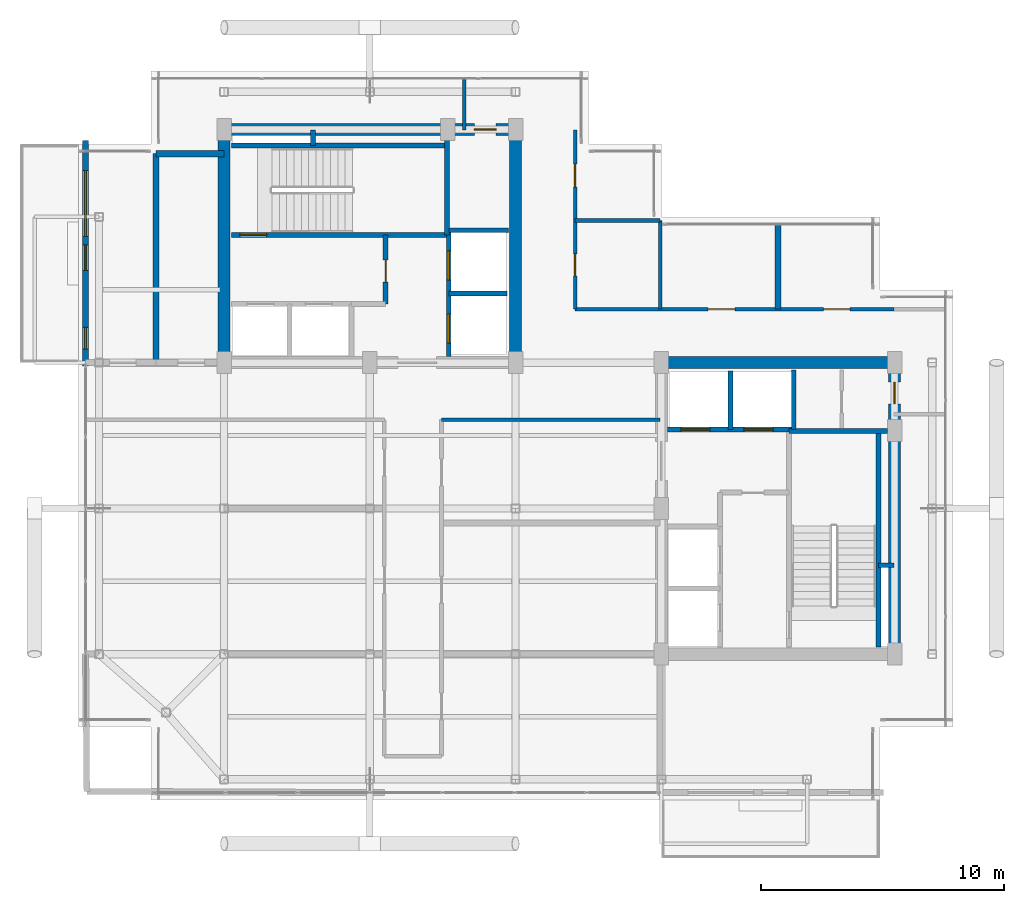
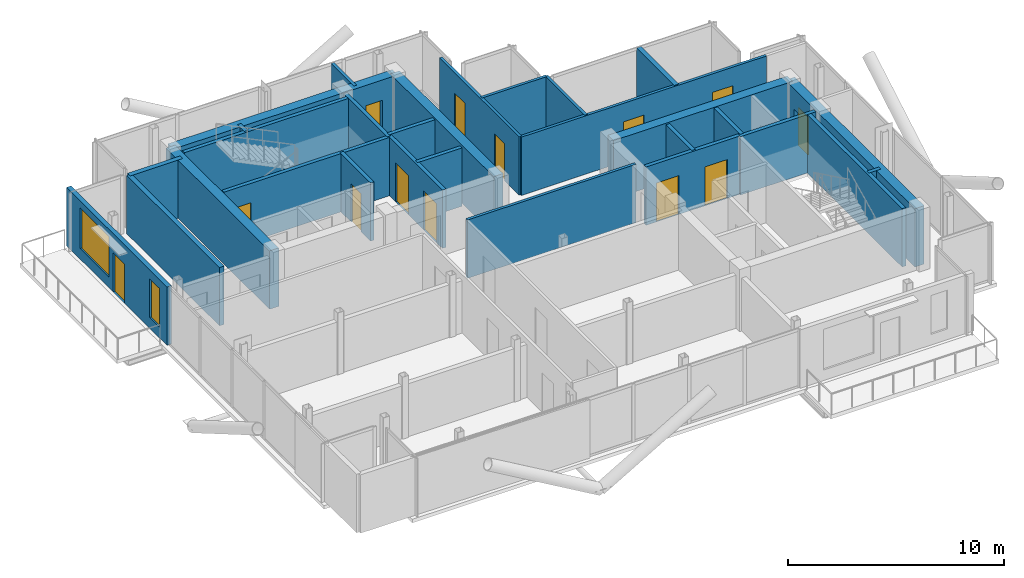
# One storey, part 15 of 18: 29 walls, 13 doors, 2 windows, 15 openings.
"""IFC4 building model written with IfcOpenShell, lengths in metres."""

from ifc_helpers import new_model, si_unit, direction, frame, frame_2d, origin, place, context, subcontext, project, spatial, rectangle, extrude, material, layer, layer_set, type_object, element, fill, save


model = new_model("IFC4")

# Units and contexts
model_context = context("Model", 3, precision=1e-05, world=origin(), true_north=direction((0.0, 1.0)))
body_context = subcontext(model_context, "Body", "Model", "MODEL_VIEW")
ifc_project = project(units=[si_unit("LENGTHUNIT", "METRE"), si_unit("AREAUNIT", "SQUARE_METRE"), si_unit("VOLUMEUNIT", "CUBIC_METRE"), si_unit("PLANEANGLEUNIT", "RADIAN"), si_unit("MASSUNIT", "GRAM", prefix="KILO"), si_unit("THERMODYNAMICTEMPERATUREUNIT", "KELVIN"), si_unit("POWERUNIT", "WATT")], contexts=[model_context])

# Site, building, storey
site_placement = place(None, origin())
site = spatial("IfcSite", under=ifc_project, at=site_placement, CompositionType="ELEMENT")
building_placement = place(site_placement, origin())
building = spatial("IfcBuilding", under=site, at=building_placement, Name="Svarakhadi Broadcast Tower", CompositionType="ELEMENT")
storey_placement = place(building_placement, frame((0.0, 0.0, 288.699951171875)))
storey = spatial("IfcBuildingStorey", under=building, at=storey_placement, Name="L73", CompositionType="ELEMENT", Elevation=288.699951171875)

# Walls
ifc_material_1 = material(Name="Double-Stud Acoustic Studio Partition STC-62", Category="gypsum")
ifc_layer_1 = layer(ifc_material_1, 0.25)
ifc_layer_set_1 = layer_set([ifc_layer_1], Name="Double-Stud Acoustic Studio Partition STC-62")
wall_type_1 = type_object("IfcWallType", Name="Wall_Acoust_250", PredefinedType="PARTITIONING", material=ifc_layer_set_1)
wall_1_placement = place(storey_placement, frame((28.800048828125, 20.199951171875, 0.0), z_axis=(0.0, 0.0, 1.0), x_axis=(0.0, 1.0, 0.0)))
element("IfcWall", 1, at=wall_1_placement, inside=storey, type_object=wall_type_1, Name="L73 Harbour Sky Club Reading Room Wall", PredefinedType="PARTITIONING", context=body_context, shape_type="SweptSolid", body=[
    extrude(rectangle(XDim=3.5, YDim=0.25, at=frame_2d((1.75, 0.0))), origin(), (0.0, 0.0, 1.0), 3.300048828125),
])
wall_2_placement = place(storey_placement, frame((3.199951171875, 18.0, 0.0), z_axis=(0.0, 0.0, 1.0), x_axis=(0.0, 1.0, 0.0)))
element("IfcWall", 2, at=wall_2_placement, inside=storey, type_object=wall_type_1, Name="L73 State Reception Salon Wall", PredefinedType="PARTITIONING", context=body_context, shape_type="SweptSolid", body=[
    extrude(rectangle(XDim=8.60009765625, YDim=0.25, at=frame_2d((4.300048828125, 0.0))), origin(), (0.0, 0.0, 1.0), 3.300048828125),
])
wall_3_placement = place(storey_placement, frame((3.199951171875, 26.60009765625, 0.0), z_axis=(0.0, 0.0, 1.0), x_axis=(1.0, 0.0, 0.0)))
element("IfcWall", 3, at=wall_3_placement, inside=storey, type_object=wall_type_1, Name="L73 Protocol Registry Office Wall", PredefinedType="PARTITIONING", context=body_context, shape_type="SweptSolid", body=[
    extrude(rectangle(XDim=2.800048828125, YDim=0.25, at=frame_2d((1.39990234375, 0.0))), origin(), (0.0, 0.0, 1.0), 3.300048828125),
])

# Wall, openings, door, windows
ifc_material_2 = material(Name="Concrete C40/50 (IS 456 M50)", Category="concrete")
ifc_layer_2 = layer(ifc_material_2, 0.239990234375)
ifc_layer_set_2 = layer_set([ifc_layer_2], Name="Concrete C40/50 (IS 456 M50)")
wall_type_2 = type_object("IfcWallType", Name="Wall_Ext_240", PredefinedType="SOLIDWALL", material=ifc_layer_set_2)
wall_4_placement = place(storey_placement, frame((0.300048828125, 17.85498046875, 0.0), z_axis=(0.0, 0.0, 1.0), x_axis=(0.0, 1.0, 0.0)))
wall_4 = element("IfcWall", 4, at=wall_4_placement, inside=storey, type_object=wall_type_2, Name="L73 West Tree Balcony Spandrel Wall", PredefinedType="SOLIDWALL", context=body_context, shape_type="SweptSolid", body=[
    extrude(rectangle(XDim=9.2900390625, YDim=0.239990234375, at=frame_2d((4.64501953125, 0.0))), origin(), (0.0, 0.0, 1.0), 3.300048828125),
])
opening_1_placement = place(wall_4_placement, frame((3.945068359375, 0.0, 0.0)))
opening_1 = element("IfcOpeningElement", 5, at=opening_1_placement, cuts=wall_4, Name="Opening ED-06", PredefinedType="OPENING", context=body_context, shape_type="SweptSolid", body=[
    extrude(rectangle(XDim=1.050048828125, YDim=2.199951171875, at=frame_2d((0.52490234375, 1.10009765625))), frame((0.0, 0.1298828125, 0.0), z_axis=(0.0, -1.0, 0.0), x_axis=(1.0, 0.0, 0.0)), (0.0, 0.0, 1.0), 0.260009765625),
])
opening_2_placement = place(wall_4_placement, frame((5.344970703125, 0.0, 0.60009765625)))
opening_2 = element("IfcOpeningElement", 6, at=opening_2_placement, cuts=wall_4, Name="Opening WN-07", PredefinedType="OPENING", context=body_context, shape_type="SweptSolid", body=[
    extrude(rectangle(XDim=2.699951171875, YDim=2.300048828125, at=frame_2d((1.35009765625, 1.14990234375))), frame((0.0, 0.1298828125, 0.0), z_axis=(0.0, -1.0, 0.0), x_axis=(1.0, 0.0, 0.0)), (0.0, 0.0, 1.0), 0.260009765625),
])
opening_3_placement = place(wall_4_placement, frame((0.699951171875, 0.0, 0.60009765625)))
opening_3 = element("IfcOpeningElement", 7, at=opening_3_placement, cuts=wall_4, Name="Opening WN-04", PredefinedType="OPENING", context=body_context, shape_type="SweptSolid", body=[
    extrude(rectangle(XDim=0.89990234375, YDim=2.199951171875, at=frame_2d((0.449951171875, 1.10009765625))), frame((0.0, 0.1298828125, 0.0), z_axis=(0.0, -1.0, 0.0), x_axis=(1.0, 0.0, 0.0)), (0.0, 0.0, 1.0), 0.260009765625),
])
ifc_material_3 = material(Name="Anodised Bronze Aluminium AA 6063-T6", Category="aluminium")
door_type_1 = type_object("IfcDoorType", Name="Door_Ext_ED06", OperationType="SINGLE_SWING_RIGHT", PredefinedType="DOOR", material=ifc_material_3)
door_1_placement = place(opening_1_placement, origin())
door_1 = element("IfcDoor", 8, at=door_1_placement, inside=storey, type_object=door_type_1, Name="L73 West Tree Balcony Door", OperationType="SINGLE_SWING_RIGHT", OverallHeight=2.199951171875, OverallWidth=1.050048828125, PredefinedType="DOOR", context=body_context, shape_type="SweptSolid", body=[
    extrude(rectangle(XDim=1.050048828125, YDim=2.199951171875, at=frame_2d((0.52490234375, 1.10009765625))), frame((0.0, 0.02490234375, 0.0), z_axis=(0.0, -1.0, 0.0), x_axis=(1.0, 0.0, 0.0)), (0.0, 0.0, 1.0), 0.050048828125),
])
fill(opening_1, door_1)
ifc_material_4 = material(Name="Double Low-E Laminated Acoustic Glass IGU 36 mm", Category="glass")
window_type_1 = type_object("IfcWindowType", Name="Win_Resi_WN07", PartitioningType="SINGLE_PANEL", PredefinedType="WINDOW", material=ifc_material_4)
window_1_placement = place(opening_2_placement, origin())
window_1 = element("IfcWindow", 9, at=window_1_placement, inside=storey, type_object=window_type_1, Name="L73 West Tree Balcony Window", OverallHeight=2.300048828125, OverallWidth=2.699951171875, PartitioningType="SINGLE_PANEL", PredefinedType="WINDOW", context=body_context, shape_type="SweptSolid", body=[
    extrude(rectangle(XDim=2.699951171875, YDim=2.300048828125, at=frame_2d((1.35009765625, 1.14990234375))), frame((0.0, 0.030029296875, 0.0), z_axis=(0.0, -1.0, 0.0), x_axis=(1.0, 0.0, 0.0)), (0.0, 0.0, 1.0), 0.06005859375),
])
fill(opening_2, window_1)
window_type_2 = type_object("IfcWindowType", Name="Win_Slot_WN04", PartitioningType="SINGLE_PANEL", PredefinedType="WINDOW", material=ifc_material_4)
window_2_placement = place(opening_3_placement, origin())
window_2 = element("IfcWindow", 10, at=window_2_placement, inside=storey, type_object=window_type_2, Name="L73 West Secondary Bedroom Slot Window", OverallHeight=2.199951171875, OverallWidth=0.89990234375, PartitioningType="SINGLE_PANEL", PredefinedType="WINDOW", context=body_context, shape_type="SweptSolid", body=[
    extrude(rectangle(XDim=0.89990234375, YDim=2.199951171875, at=frame_2d((0.449951171875, 1.10009765625))), frame((0.0, 0.030029296875, 0.0), z_axis=(0.0, -1.0, 0.0), x_axis=(1.0, 0.0, 0.0)), (0.0, 0.0, 1.0), 0.06005859375),
])
fill(opening_3, window_2)

# Walls
ifc_layer_3 = layer(ifc_material_2, 0.199951171875)
ifc_layer_set_3 = layer_set([ifc_layer_3], Name="Concrete C40/50 (IS 456 M50)")
wall_type_3 = type_object("IfcWallType", Name="Wall_Fire_200", PredefinedType="SOLIDWALL", material=ifc_layer_set_3)
for number, where, z_axis, x_axis, name in (
    (11, (9.659912109375, 26.93994140625, 0.0), (0.0, 0.0, 1.0), (0.0, 1.0, 0.0), "L73 Wet Riser Shaft East Wall"),
    (12, (32.93994140625, 9.659912109375, 0.0), (0.0, 0.0, 1.0), (1.0, 0.0, 0.0), "L73 HV Busduct Riser Shaft North Wall"),
):
    element("IfcWall", number, at=place(storey_placement, frame(where, z_axis=z_axis, x_axis=x_axis)), inside=storey, type_object=wall_type_3, Name=name, PredefinedType="SOLIDWALL", context=body_context, shape_type="SweptSolid", body=[
        extrude(rectangle(XDim=0.64013671875, YDim=0.199951171875, at=frame_2d((0.320068359375, 0.0))), origin(), (0.0, 0.0, 1.0), 3.300048828125),
    ])
ifc_material_5 = material(Name="Autoclaved Aerated Concrete Blockwork 150 mm", Category="masonry")
ifc_layer_4 = layer(ifc_material_5, 0.14990234375)
ifc_layer_set_4 = layer_set([ifc_layer_4], Name="Autoclaved Aerated Concrete Blockwork 150 mm")
wall_type_4 = type_object("IfcWallType", Name="Wall_Part_150", PredefinedType="PARTITIONING", material=ifc_layer_set_4)
wall_5_placement = place(storey_placement, frame((15.8798828125, 27.580078125, 0.0), z_axis=(0.0, 0.0, 1.0), x_axis=(0.0, 1.0, 0.0)))
element("IfcWall", 13, at=wall_5_placement, inside=storey, type_object=wall_type_4, Name="L73 Upper Tower Concourse Wall", PredefinedType="PARTITIONING", context=body_context, shape_type="SweptSolid", body=[
    extrude(rectangle(XDim=2.119873046875, YDim=0.14990234375, at=frame_2d((1.06005859375, 0.0))), origin(), (0.0, 0.0, 1.0), 3.300048828125),
])

# Wall, openings, doors
wall_6_placement = place(storey_placement, frame((20.449951171875, 27.580078125, 0.0), z_axis=(0.0, 0.0, 1.0), x_axis=(0.0, -1.0, 0.0)))
wall_6 = element("IfcWall", 14, at=wall_6_placement, inside=storey, type_object=wall_type_4, Name="L73 Upper Tower Concourse Wall", PredefinedType="PARTITIONING", context=body_context, shape_type="SweptSolid", body=[
    extrude(rectangle(XDim=7.380126953125, YDim=0.14990234375, at=frame_2d((3.68994140625, 0.0))), origin(), (0.0, 0.0, 1.0), 3.300048828125),
])
opening_4_placement = place(wall_6_placement, frame((5.10498046875, 0.0, 0.0)))
opening_4 = element("IfcOpeningElement", 15, at=opening_4_placement, cuts=wall_6, Name="Opening D-13", PredefinedType="OPENING", context=body_context, shape_type="SweptSolid", body=[
    extrude(rectangle(XDim=0.89990234375, YDim=2.10009765625, at=frame_2d((0.449951171875, 1.050048828125))), frame((0.0, 0.0849609375, 0.0), z_axis=(0.0, -1.0, 0.0), x_axis=(1.0, 0.0, 0.0)), (0.0, 0.0, 1.0), 0.169921875),
])
opening_5_placement = place(wall_6_placement, frame((1.405029296875, 0.0, 0.0)))
opening_5 = element("IfcOpeningElement", 16, at=opening_5_placement, cuts=wall_6, Name="Opening D-06", PredefinedType="OPENING", context=body_context, shape_type="SweptSolid", body=[
    extrude(rectangle(XDim=0.949951171875, YDim=2.14990234375, at=frame_2d((0.47509765625, 1.074951171875))), frame((0.0, 0.0849609375, 0.0), z_axis=(0.0, -1.0, 0.0), x_axis=(1.0, 0.0, 0.0)), (0.0, 0.0, 1.0), 0.169921875),
])
ifc_material_6 = material(Name="Solid-Core Teak Veneer Acoustic Timber Leaf", Category="wood")
door_type_2 = type_object("IfcDoorType", Name="Door_Closet_D13", OperationType="SINGLE_SWING_RIGHT", PredefinedType="DOOR", material=ifc_material_6)
door_2_placement = place(opening_4_placement, origin())
door_2 = element("IfcDoor", 17, at=door_2_placement, inside=storey, type_object=door_type_2, Name="L73 Accessible Visitor Washroom WC Door", OperationType="SINGLE_SWING_RIGHT", OverallHeight=2.10009765625, OverallWidth=0.89990234375, PredefinedType="DOOR", context=body_context, shape_type="SweptSolid", body=[
    extrude(rectangle(XDim=0.89990234375, YDim=2.10009765625, at=frame_2d((0.449951171875, 1.050048828125))), frame((0.0, 0.02490234375, 0.0), z_axis=(0.0, -1.0, 0.0), x_axis=(1.0, 0.0, 0.0)), (0.0, 0.0, 1.0), 0.050048828125),
])
fill(opening_4, door_2)
door_type_3 = type_object("IfcDoorType", Name="Door_Office_D06", OperationType="SINGLE_SWING_LEFT", PredefinedType="DOOR", material=ifc_material_6)
door_3_placement = place(opening_5_placement, origin())
door_3 = element("IfcDoor", 18, at=door_3_placement, inside=storey, type_object=door_type_3, Name="L73 Hotel Butler Service Pantry Door", OperationType="SINGLE_SWING_LEFT", OverallHeight=2.14990234375, OverallWidth=0.949951171875, PredefinedType="DOOR", context=body_context, shape_type="SweptSolid", body=[
    extrude(rectangle(XDim=0.949951171875, YDim=2.14990234375, at=frame_2d((0.47509765625, 1.074951171875))), frame((0.0, 0.02490234375, 0.0), z_axis=(0.0, -1.0, 0.0), x_axis=(1.0, 0.0, 0.0)), (0.0, 0.0, 1.0), 0.050048828125),
])
fill(opening_5, door_3)

wall_7_placement = place(storey_placement, frame((20.449951171875, 20.199951171875, 0.0), z_axis=(0.0, 0.0, 1.0), x_axis=(1.0, 0.0, 0.0)))
wall_7 = element("IfcWall", 19, at=wall_7_placement, inside=storey, type_object=wall_type_4, Name="L73 Upper Tower Concourse Wall", PredefinedType="PARTITIONING", context=body_context, shape_type="SweptSolid", body=[
    extrude(rectangle(XDim=13.130126953125, YDim=0.14990234375, at=frame_2d((6.56494140625, 0.0))), origin(), (0.0, 0.0, 1.0), 3.300048828125),
])
opening_6_placement = place(wall_7_placement, frame((5.47509765625, 0.0, 0.0)))
opening_6 = element("IfcOpeningElement", 20, at=opening_6_placement, cuts=wall_7, Name="Opening D-11", PredefinedType="OPENING", context=body_context, shape_type="SweptSolid", body=[
    extrude(rectangle(XDim=1.10009765625, YDim=2.25, at=frame_2d((0.550048828125, 1.125))), frame((0.0, 0.0849609375, 0.0), z_axis=(0.0, -1.0, 0.0), x_axis=(1.0, 0.0, 0.0)), (0.0, 0.0, 1.0), 0.169921875),
])
opening_7_placement = place(wall_7_placement, frame((10.22509765625, 0.0, 0.0)))
opening_7 = element("IfcOpeningElement", 21, at=opening_7_placement, cuts=wall_7, Name="Opening D-10", PredefinedType="OPENING", context=body_context, shape_type="SweptSolid", body=[
    extrude(rectangle(XDim=1.10009765625, YDim=2.25, at=frame_2d((0.550048828125, 1.125))), frame((0.0, 0.0849609375, 0.0), z_axis=(0.0, -1.0, 0.0), x_axis=(1.0, 0.0, 0.0)), (0.0, 0.0, 1.0), 0.169921875),
])
door_type_4 = type_object("IfcDoorType", Name="Door_Acoust_D10", OperationType="SINGLE_SWING_LEFT", PredefinedType="DOOR", material=ifc_material_6)
door_4_placement = place(opening_7_placement, origin())
door_4 = element("IfcDoor", 22, at=door_4_placement, inside=storey, type_object=door_type_4, Name="L73 Private Sommelier Tasting Pantry Door", OperationType="SINGLE_SWING_LEFT", OverallHeight=2.25, OverallWidth=1.10009765625, PredefinedType="DOOR", context=body_context, shape_type="SweptSolid", body=[
    extrude(rectangle(XDim=1.10009765625, YDim=2.25, at=frame_2d((0.550048828125, 1.125))), frame((0.0, 0.02490234375, 0.0), z_axis=(0.0, -1.0, 0.0), x_axis=(1.0, 0.0, 0.0)), (0.0, 0.0, 1.0), 0.050048828125),
])
fill(opening_7, door_4)
door_type_5 = type_object("IfcDoorType", Name="Door_Acoust_D11", OperationType="SINGLE_SWING_RIGHT", PredefinedType="DOOR", material=ifc_material_6)
door_5_placement = place(opening_6_placement, origin())
door_5 = element("IfcDoor", 23, at=door_5_placement, inside=storey, type_object=door_type_5, Name="L73 Harbour Sky Club Reading Room Door", OperationType="SINGLE_SWING_RIGHT", OverallHeight=2.25, OverallWidth=1.10009765625, PredefinedType="DOOR", context=body_context, shape_type="SweptSolid", body=[
    extrude(rectangle(XDim=1.10009765625, YDim=2.25, at=frame_2d((0.550048828125, 1.125))), frame((0.0, 0.02490234375, 0.0), z_axis=(0.0, -1.0, 0.0), x_axis=(1.0, 0.0, 0.0)), (0.0, 0.0, 1.0), 0.050048828125),
])
fill(opening_6, door_5)

# Walls
wall_8_placement = place(storey_placement, frame((23.949951171875, 15.64990234375, 0.0), z_axis=(0.0, 0.0, 1.0), x_axis=(-1.0, 0.0, 0.0)))
element("IfcWall", 24, at=wall_8_placement, inside=storey, type_object=wall_type_4, Name="L73 Upper Tower Concourse Wall", PredefinedType="PARTITIONING", context=body_context, shape_type="SweptSolid", body=[
    extrude(rectangle(XDim=9.0, YDim=0.14990234375, at=frame_2d((4.5, 0.0))), origin(), (0.0, 0.0, 1.0), 3.300048828125),
])
wall_9_placement = place(storey_placement, frame((20.449951171875, 23.85009765625, 0.0), z_axis=(0.0, 0.0, 1.0), x_axis=(1.0, 0.0, 0.0)))
element("IfcWall", 25, at=wall_9_placement, inside=storey, type_object=wall_type_4, Name="L73 Accessible Visitor Washroom WC Wall", PredefinedType="PARTITIONING", context=body_context, shape_type="SweptSolid", body=[
    extrude(rectangle(XDim=3.5, YDim=0.14990234375, at=frame_2d((1.75, 0.0))), origin(), (0.0, 0.0, 1.0), 3.300048828125),
])
wall_10_placement = place(storey_placement, frame((23.949951171875, 20.199951171875, 0.0), z_axis=(0.0, 0.0, 1.0), x_axis=(0.0, 1.0, 0.0)))
element("IfcWall", 26, at=wall_10_placement, inside=storey, type_object=wall_type_4, Name="L73 Accessible Visitor Washroom WC Wall", PredefinedType="PARTITIONING", context=body_context, shape_type="SweptSolid", body=[
    extrude(rectangle(XDim=3.650146484375, YDim=0.14990234375, at=frame_2d((1.8251953125, 0.0))), origin(), (0.0, 0.0, 1.0), 3.300048828125),
])

# Wall, opening, door
ifc_material_7 = material(Name="Concrete C50/60 (IS 456 M60)", Category="concrete")
ifc_layer_5 = layer(ifc_material_7, 0.199951171875)
ifc_layer_set_5 = layer_set([ifc_layer_5], Name="Concrete C50/60 (IS 456 M60)")
wall_type_5 = type_object("IfcWallType", Name="Wall_Shear_200", PredefinedType="SHEAR", material=ifc_layer_set_5)
wall_11_placement = place(storey_placement, frame((6.300048828125, 23.260009765625, 0.0), z_axis=(0.0, 0.0, 1.0), x_axis=(1.0, 0.0, 0.0)))
wall_11 = element("IfcWall", 27, at=wall_11_placement, inside=storey, type_object=wall_type_5, Name="L73 Stair ST-01 South RC Shaft Wall", PredefinedType="SHEAR", context=body_context, shape_type="SweptSolid", body=[
    extrude(rectangle(XDim=8.8798828125, YDim=0.199951171875, at=frame_2d((4.43994140625, 0.0))), origin(), (0.0, 0.0, 1.0), 3.300048828125),
])
opening_8_placement = place(wall_11_placement, frame((0.35009765625, 0.0, 0.0)))
opening_8 = element("IfcOpeningElement", 28, at=opening_8_placement, cuts=wall_11, Name="Opening D-01", PredefinedType="OPENING", context=body_context, shape_type="SweptSolid", body=[
    extrude(rectangle(XDim=1.10009765625, YDim=2.199951171875, at=frame_2d((0.550048828125, 1.10009765625))), frame((0.0, 0.10986328125, 0.0), z_axis=(0.0, -1.0, 0.0), x_axis=(1.0, 0.0, 0.0)), (0.0, 0.0, 1.0), 0.219970703125),
])
ifc_material_8 = material(Name="Galvanised Powder-Coated Fire-Rated Steel Leaf", Category="steel")
door_type_6 = type_object("IfcDoorType", Name="Door_Stair_D01", OperationType="SINGLE_SWING_LEFT", PredefinedType="DOOR", material=ifc_material_8)
door_6_placement = place(opening_8_placement, origin())
door_6 = element("IfcDoor", 29, at=door_6_placement, inside=storey, type_object=door_type_6, Name="L73 Protected Exit Stair ST-01 Fire Door", OperationType="SINGLE_SWING_LEFT", OverallHeight=2.199951171875, OverallWidth=1.10009765625, PredefinedType="DOOR", context=body_context, shape_type="SweptSolid", body=[
    extrude(rectangle(XDim=1.10009765625, YDim=2.199951171875, at=frame_2d((0.550048828125, 1.10009765625))), frame((0.0, 0.02490234375, 0.0), z_axis=(0.0, -1.0, 0.0), x_axis=(1.0, 0.0, 0.0)), (0.0, 0.0, 1.0), 0.050048828125),
])
fill(opening_8, door_6)

# Walls
wall_12_placement = place(storey_placement, frame((6.300048828125, 26.93994140625, 0.0), z_axis=(0.0, 0.0, 1.0), x_axis=(1.0, 0.0, 0.0)))
element("IfcWall", 30, at=wall_12_placement, inside=storey, type_object=wall_type_5, Name="L73 Stair ST-01 North RC Shaft Wall", PredefinedType="SHEAR", context=body_context, shape_type="SweptSolid", body=[
    extrude(rectangle(XDim=8.8798828125, YDim=0.199951171875, at=frame_2d((4.43994140625, 0.0))), origin(), (0.0, 0.0, 1.0), 3.300048828125),
])
wall_13_placement = place(storey_placement, frame((15.179931640625, 23.260009765625, 0.0), z_axis=(0.0, 0.0, 1.0), x_axis=(0.0, 1.0, 0.0)))
element("IfcWall", 31, at=wall_13_placement, inside=storey, type_object=wall_type_5, Name="L73 Stair ST-01 East RC Shaft Wall", PredefinedType="SHEAR", context=body_context, shape_type="SweptSolid", body=[
    extrude(rectangle(XDim=4.0400390625, YDim=0.199951171875, at=frame_2d((2.02001953125, 0.0))), origin(), (0.0, 0.0, 1.0), 3.300048828125),
])
wall_14_placement = place(storey_placement, frame((32.93994140625, 6.300048828125, 0.0), z_axis=(0.0, 0.0, 1.0), x_axis=(0.0, 1.0, 0.0)))
element("IfcWall", 32, at=wall_14_placement, inside=storey, type_object=wall_type_5, Name="L73 Stair ST-02 East RC Shaft Wall", PredefinedType="SHEAR", context=body_context, shape_type="SweptSolid", body=[
    extrude(rectangle(XDim=8.8798828125, YDim=0.199951171875, at=frame_2d((4.43994140625, 0.0))), origin(), (0.0, 0.0, 1.0), 3.300048828125),
])
wall_15_placement = place(storey_placement, frame((29.260009765625, 15.179931640625, 0.0), z_axis=(0.0, 0.0, 1.0), x_axis=(1.0, 0.0, 0.0)))
element("IfcWall", 33, at=wall_15_placement, inside=storey, type_object=wall_type_5, Name="L73 Stair ST-02 North RC Shaft Wall", PredefinedType="SHEAR", context=body_context, shape_type="SweptSolid", body=[
    extrude(rectangle(XDim=4.0400390625, YDim=0.199951171875, at=frame_2d((2.02001953125, 0.0))), origin(), (0.0, 0.0, 1.0), 3.300048828125),
])

# Wall, opening, door
wall_16_placement = place(storey_placement, frame((12.64990234375, 20.419921875, 0.0), z_axis=(0.0, 0.0, 1.0), x_axis=(0.0, 1.0, 0.0)))
wall_16 = element("IfcWall", 34, at=wall_16_placement, inside=storey, type_object=wall_type_5, Name="L73 West Firefighting Lobby East Wall", PredefinedType="SHEAR", context=body_context, shape_type="SweptSolid", body=[
    extrude(rectangle(XDim=2.840087890625, YDim=0.199951171875, at=frame_2d((1.419921875, 0.0))), origin(), (0.0, 0.0, 1.0), 3.300048828125),
])
opening_9_placement = place(wall_16_placement, frame((0.89990234375, 0.0, 0.0)))
opening_9 = element("IfcOpeningElement", 35, at=opening_9_placement, cuts=wall_16, Name="Opening D-04", PredefinedType="OPENING", context=body_context, shape_type="SweptSolid", body=[
    extrude(rectangle(XDim=0.89990234375, YDim=2.14990234375, at=frame_2d((0.449951171875, 1.074951171875))), frame((0.0, 0.10986328125, 0.0), z_axis=(0.0, -1.0, 0.0), x_axis=(1.0, 0.0, 0.0)), (0.0, 0.0, 1.0), 0.219970703125),
])
door_type_7 = type_object("IfcDoorType", Name="Door_Fire_D04", OperationType="SINGLE_SWING_RIGHT", PredefinedType="DOOR", material=ifc_material_8)
door_7_placement = place(opening_9_placement, origin())
door_7 = element("IfcDoor", 36, at=door_7_placement, inside=storey, type_object=door_type_7, Name="L73 West Firefighting Lobby Fire Door", OperationType="SINGLE_SWING_RIGHT", OverallHeight=2.14990234375, OverallWidth=0.89990234375, PredefinedType="DOOR", context=body_context, shape_type="SweptSolid", body=[
    extrude(rectangle(XDim=0.89990234375, YDim=2.14990234375, at=frame_2d((0.449951171875, 1.074951171875))), frame((0.0, 0.02490234375, 0.0), z_axis=(0.0, -1.0, 0.0), x_axis=(1.0, 0.0, 0.0)), (0.0, 0.0, 1.0), 0.050048828125),
])
fill(opening_9, door_7)

# Wall, openings, doors
wall_17_placement = place(storey_placement, frame((15.25, 18.25, 0.0), z_axis=(0.0, 0.0, 1.0), x_axis=(0.0, 1.0, 0.0)))
wall_17 = element("IfcWall", 37, at=wall_17_placement, inside=storey, type_object=wall_type_5, Name="L73 High-Rise Lift LF-13/14 West Shaft Wall", PredefinedType="SHEAR", context=body_context, shape_type="SweptSolid", body=[
    extrude(rectangle(XDim=5.199951171875, YDim=0.199951171875, at=frame_2d((2.60009765625, 0.0))), origin(), (0.0, 0.0, 1.0), 3.300048828125),
])
opening_10_placement = place(wall_17_placement, frame((0.550048828125, 0.0, 0.0)))
opening_10 = element("IfcOpeningElement", 38, at=opening_10_placement, cuts=wall_17, Name="Opening LD-02", PredefinedType="OPENING", context=body_context, shape_type="SweptSolid", body=[
    extrude(rectangle(XDim=1.199951171875, YDim=2.199951171875, at=frame_2d((0.60009765625, 1.10009765625))), frame((0.0, 0.10986328125, 0.0), z_axis=(0.0, -1.0, 0.0), x_axis=(1.0, 0.0, 0.0)), (0.0, 0.0, 1.0), 0.219970703125),
])
opening_11_placement = place(wall_17_placement, frame((3.14990234375, 0.0, 0.0)))
opening_11 = element("IfcOpeningElement", 39, at=opening_11_placement, cuts=wall_17, Name="Opening LD-02", PredefinedType="OPENING", context=body_context, shape_type="SweptSolid", body=[
    extrude(rectangle(XDim=1.199951171875, YDim=2.199951171875, at=frame_2d((0.60009765625, 1.10009765625))), frame((0.0, 0.10986328125, 0.0), z_axis=(0.0, -1.0, 0.0), x_axis=(1.0, 0.0, 0.0)), (0.0, 0.0, 1.0), 0.219970703125),
])
door_type_8 = type_object("IfcDoorType", Name="Door_Lift_LD02", OperationType="SLIDING_TO_RIGHT", PredefinedType="DOOR", material=ifc_material_8)
door_8_placement = place(opening_10_placement, origin())
door_8 = element("IfcDoor", 40, at=door_8_placement, inside=storey, type_object=door_type_8, Name="L73 High-Rise Lift LF-13 Landing Door", OperationType="SLIDING_TO_RIGHT", OverallHeight=2.199951171875, OverallWidth=1.199951171875, PredefinedType="DOOR", context=body_context, shape_type="SweptSolid", body=[
    extrude(rectangle(XDim=1.199951171875, YDim=2.199951171875, at=frame_2d((0.60009765625, 1.10009765625))), frame((0.0, 0.02490234375, 0.0), z_axis=(0.0, -1.0, 0.0), x_axis=(1.0, 0.0, 0.0)), (0.0, 0.0, 1.0), 0.050048828125),
])
fill(opening_10, door_8)
door_9_placement = place(opening_11_placement, origin())
door_9 = element("IfcDoor", 41, at=door_9_placement, inside=storey, type_object=door_type_8, Name="L73 High-Rise Lift LF-14 Landing Door", OperationType="SLIDING_TO_RIGHT", OverallHeight=2.199951171875, OverallWidth=1.199951171875, PredefinedType="DOOR", context=body_context, shape_type="SweptSolid", body=[
    extrude(rectangle(XDim=1.199951171875, YDim=2.199951171875, at=frame_2d((0.60009765625, 1.10009765625))), frame((0.0, 0.02490234375, 0.0), z_axis=(0.0, -1.0, 0.0), x_axis=(1.0, 0.0, 0.0)), (0.0, 0.0, 1.0), 0.050048828125),
])
fill(opening_11, door_9)

# Walls
wall_18_placement = place(storey_placement, frame((15.25, 20.85009765625, 0.0), z_axis=(0.0, 0.0, 1.0), x_axis=(1.0, 0.0, 0.0)))
element("IfcWall", 42, at=wall_18_placement, inside=storey, type_object=wall_type_5, Name="L73 High-Rise Lift LF-13/14 Divider", PredefinedType="SHEAR", context=body_context, shape_type="SweptSolid", body=[
    extrude(rectangle(XDim=2.39990234375, YDim=0.199951171875, at=frame_2d((1.199951171875, 0.0))), origin(), (0.0, 0.0, 1.0), 3.300048828125),
])
wall_19_placement = place(storey_placement, frame((15.25, 23.449951171875, 0.0), z_axis=(0.0, 0.0, 1.0), x_axis=(1.0, 0.0, 0.0)))
element("IfcWall", 43, at=wall_19_placement, inside=storey, type_object=wall_type_5, Name="L73 High-Rise Lift LF-13/14 North Wall", PredefinedType="SHEAR", context=body_context, shape_type="SweptSolid", body=[
    extrude(rectangle(XDim=2.449951171875, YDim=0.199951171875, at=frame_2d((1.22509765625, 0.0))), origin(), (0.0, 0.0, 1.0), 3.300048828125),
])

# Wall, openings, doors
wall_20_placement = place(storey_placement, frame((24.25, 15.25, 0.0), z_axis=(0.0, 0.0, 1.0), x_axis=(1.0, 0.0, 0.0)))
wall_20 = element("IfcWall", 44, at=wall_20_placement, inside=storey, type_object=wall_type_5, Name="L73 High-Rise Lift LF-15/16 South Shaft Wall", PredefinedType="SHEAR", context=body_context, shape_type="SweptSolid", body=[
    extrude(rectangle(XDim=5.199951171875, YDim=0.199951171875, at=frame_2d((2.60009765625, 0.0))), origin(), (0.0, 0.0, 1.0), 3.300048828125),
])
opening_12_placement = place(wall_20_placement, frame((0.550048828125, 0.0, 0.0)))
opening_12 = element("IfcOpeningElement", 45, at=opening_12_placement, cuts=wall_20, Name="Opening LD-02", PredefinedType="OPENING", context=body_context, shape_type="SweptSolid", body=[
    extrude(rectangle(XDim=1.199951171875, YDim=2.199951171875, at=frame_2d((0.60009765625, 1.10009765625))), frame((0.0, 0.10986328125, 0.0), z_axis=(0.0, -1.0, 0.0), x_axis=(1.0, 0.0, 0.0)), (0.0, 0.0, 1.0), 0.219970703125),
])
opening_13_placement = place(wall_20_placement, frame((3.14990234375, 0.0, 0.0)))
opening_13 = element("IfcOpeningElement", 46, at=opening_13_placement, cuts=wall_20, Name="Opening LD-02", PredefinedType="OPENING", context=body_context, shape_type="SweptSolid", body=[
    extrude(rectangle(XDim=1.199951171875, YDim=2.199951171875, at=frame_2d((0.60009765625, 1.10009765625))), frame((0.0, 0.10986328125, 0.0), z_axis=(0.0, -1.0, 0.0), x_axis=(1.0, 0.0, 0.0)), (0.0, 0.0, 1.0), 0.219970703125),
])
door_10_placement = place(opening_12_placement, origin())
door_10 = element("IfcDoor", 47, at=door_10_placement, inside=storey, type_object=door_type_8, Name="L73 High-Rise Lift LF-15 Landing Door", OperationType="SLIDING_TO_RIGHT", OverallHeight=2.199951171875, OverallWidth=1.199951171875, PredefinedType="DOOR", context=body_context, shape_type="SweptSolid", body=[
    extrude(rectangle(XDim=1.199951171875, YDim=2.199951171875, at=frame_2d((0.60009765625, 1.10009765625))), frame((0.0, 0.02490234375, 0.0), z_axis=(0.0, -1.0, 0.0), x_axis=(1.0, 0.0, 0.0)), (0.0, 0.0, 1.0), 0.050048828125),
])
fill(opening_12, door_10)
door_11_placement = place(opening_13_placement, origin())
door_11 = element("IfcDoor", 48, at=door_11_placement, inside=storey, type_object=door_type_8, Name="L73 High-Rise Lift LF-16 Landing Door", OperationType="SLIDING_TO_RIGHT", OverallHeight=2.199951171875, OverallWidth=1.199951171875, PredefinedType="DOOR", context=body_context, shape_type="SweptSolid", body=[
    extrude(rectangle(XDim=1.199951171875, YDim=2.199951171875, at=frame_2d((0.60009765625, 1.10009765625))), frame((0.0, 0.02490234375, 0.0), z_axis=(0.0, -1.0, 0.0), x_axis=(1.0, 0.0, 0.0)), (0.0, 0.0, 1.0), 0.050048828125),
])
fill(opening_13, door_11)

# Walls
wall_21_placement = place(storey_placement, frame((26.85009765625, 15.25, 0.0), z_axis=(0.0, 0.0, 1.0), x_axis=(0.0, 1.0, 0.0)))
element("IfcWall", 49, at=wall_21_placement, inside=storey, type_object=wall_type_5, Name="L73 High-Rise Lift LF-15/16 Divider", PredefinedType="SHEAR", context=body_context, shape_type="SweptSolid", body=[
    extrude(rectangle(XDim=2.39990234375, YDim=0.199951171875, at=frame_2d((1.199951171875, 0.0))), origin(), (0.0, 0.0, 1.0), 3.300048828125),
])
wall_22_placement = place(storey_placement, frame((29.449951171875, 15.25, 0.0), z_axis=(0.0, 0.0, 1.0), x_axis=(0.0, 1.0, 0.0)))
element("IfcWall", 50, at=wall_22_placement, inside=storey, type_object=wall_type_5, Name="L73 High-Rise Lift LF-15/16 East Wall", PredefinedType="SHEAR", context=body_context, shape_type="SweptSolid", body=[
    extrude(rectangle(XDim=2.449951171875, YDim=0.199951171875, at=frame_2d((1.22509765625, 0.0))), origin(), (0.0, 0.0, 1.0), 3.300048828125),
])

# Wall, opening, door
ifc_layer_6 = layer(ifc_material_7, 0.5)
ifc_layer_set_6 = layer_set([ifc_layer_6], Name="Concrete C50/60 (IS 456 M60)")
wall_type_6 = type_object("IfcWallType", Name="Wall_Shear_500", PredefinedType="SHEAR", material=ifc_layer_set_6)
wall_23_placement = place(storey_placement, frame((6.0, 27.60009765625, 0.0), z_axis=(0.0, 0.0, 1.0), x_axis=(1.0, 0.0, 0.0)))
wall_23 = element("IfcWall", 51, at=wall_23_placement, inside=storey, type_object=wall_type_6, Name="L73 West Core North Shear Wall", PredefinedType="SHEAR", context=body_context, shape_type="SweptSolid", body=[
    extrude(rectangle(XDim=12.0, YDim=0.5, at=frame_2d((6.0, 0.0))), origin(), (0.0, 0.0, 1.0), 3.300048828125),
])
opening_14_placement = place(wall_23_placement, frame((10.300048828125, 0.0, 0.0)))
opening_14 = element("IfcOpeningElement", 52, at=opening_14_placement, cuts=wall_23, Name="Opening D-03", PredefinedType="OPENING", context=body_context, shape_type="SweptSolid", body=[
    extrude(rectangle(XDim=0.89990234375, YDim=2.14990234375, at=frame_2d((0.449951171875, 1.074951171875))), frame((0.0, 0.260009765625, 0.0), z_axis=(0.0, -1.0, 0.0), x_axis=(1.0, 0.0, 0.0)), (0.0, 0.0, 1.0), 0.52001953125),
])
door_type_9 = type_object("IfcDoorType", Name="Door_Fire_D03", OperationType="SINGLE_SWING_LEFT", PredefinedType="DOOR", material=ifc_material_8)
door_12_placement = place(opening_14_placement, origin())
door_12 = element("IfcDoor", 53, at=door_12_placement, inside=storey, type_object=door_type_9, Name="L73 Core Meter Cupboard Door", OperationType="SINGLE_SWING_LEFT", OverallHeight=2.14990234375, OverallWidth=0.89990234375, PredefinedType="DOOR", context=body_context, shape_type="SweptSolid", body=[
    extrude(rectangle(XDim=0.89990234375, YDim=2.14990234375, at=frame_2d((0.449951171875, 1.074951171875))), frame((0.0, 0.02490234375, 0.0), z_axis=(0.0, -1.0, 0.0), x_axis=(1.0, 0.0, 0.0)), (0.0, 0.0, 1.0), 0.050048828125),
])
fill(opening_14, door_12)

# Walls
for number, where, z_axis, x_axis, name in (
    (54, (6.0, 18.0, 0.0), (0.0, 0.0, 1.0), (0.0, 1.0, 0.0), "L73 West Core West Shear Wall"),
    (55, (18.0, 18.0, 0.0), (0.0, 0.0, 1.0), (0.0, 1.0, 0.0), "L73 West Core East Shear Wall"),
    (56, (24.0, 18.0, 0.0), (0.0, 0.0, 1.0), (1.0, 0.0, 0.0), "L73 East Core North Shear Wall"),
):
    element("IfcWall", number, at=place(storey_placement, frame(where, z_axis=z_axis, x_axis=x_axis)), inside=storey, type_object=wall_type_6, Name=name, PredefinedType="SHEAR", context=body_context, shape_type="SweptSolid", body=[
        extrude(rectangle(XDim=9.60009765625, YDim=0.5, at=frame_2d((4.800048828125, 0.0))), origin(), (0.0, 0.0, 1.0), 3.300048828125),
    ])

# Wall, opening, door
wall_24_placement = place(storey_placement, frame((33.60009765625, 6.0, 0.0), z_axis=(0.0, 0.0, 1.0), x_axis=(0.0, 1.0, 0.0)))
wall_24 = element("IfcWall", 57, at=wall_24_placement, inside=storey, type_object=wall_type_6, Name="L73 East Core East Shear Wall", PredefinedType="SHEAR", context=body_context, shape_type="SweptSolid", body=[
    extrude(rectangle(XDim=12.0, YDim=0.5, at=frame_2d((6.0, 0.0))), origin(), (0.0, 0.0, 1.0), 3.300048828125),
])
opening_15_placement = place(wall_24_placement, frame((10.300048828125, 0.0, 0.0)))
opening_15 = element("IfcOpeningElement", 58, at=opening_15_placement, cuts=wall_24, Name="Opening D-03", PredefinedType="OPENING", context=body_context, shape_type="SweptSolid", body=[
    extrude(rectangle(XDim=0.89990234375, YDim=2.14990234375, at=frame_2d((0.449951171875, 1.074951171875))), frame((0.0, 0.260009765625, 0.0), z_axis=(0.0, -1.0, 0.0), x_axis=(1.0, 0.0, 0.0)), (0.0, 0.0, 1.0), 0.52001953125),
])
door_13_placement = place(opening_15_placement, origin())
door_13 = element("IfcDoor", 59, at=door_13_placement, inside=storey, type_object=door_type_9, Name="L73 Core Outer Service Store Door", OperationType="SINGLE_SWING_LEFT", OverallHeight=2.14990234375, OverallWidth=0.89990234375, PredefinedType="DOOR", context=body_context, shape_type="SweptSolid", body=[
    extrude(rectangle(XDim=0.89990234375, YDim=2.14990234375, at=frame_2d((0.449951171875, 1.074951171875))), frame((0.0, 0.02490234375, 0.0), z_axis=(0.0, -1.0, 0.0), x_axis=(1.0, 0.0, 0.0)), (0.0, 0.0, 1.0), 0.050048828125),
])
fill(opening_15, door_13)

save(model, "model.ifc")
